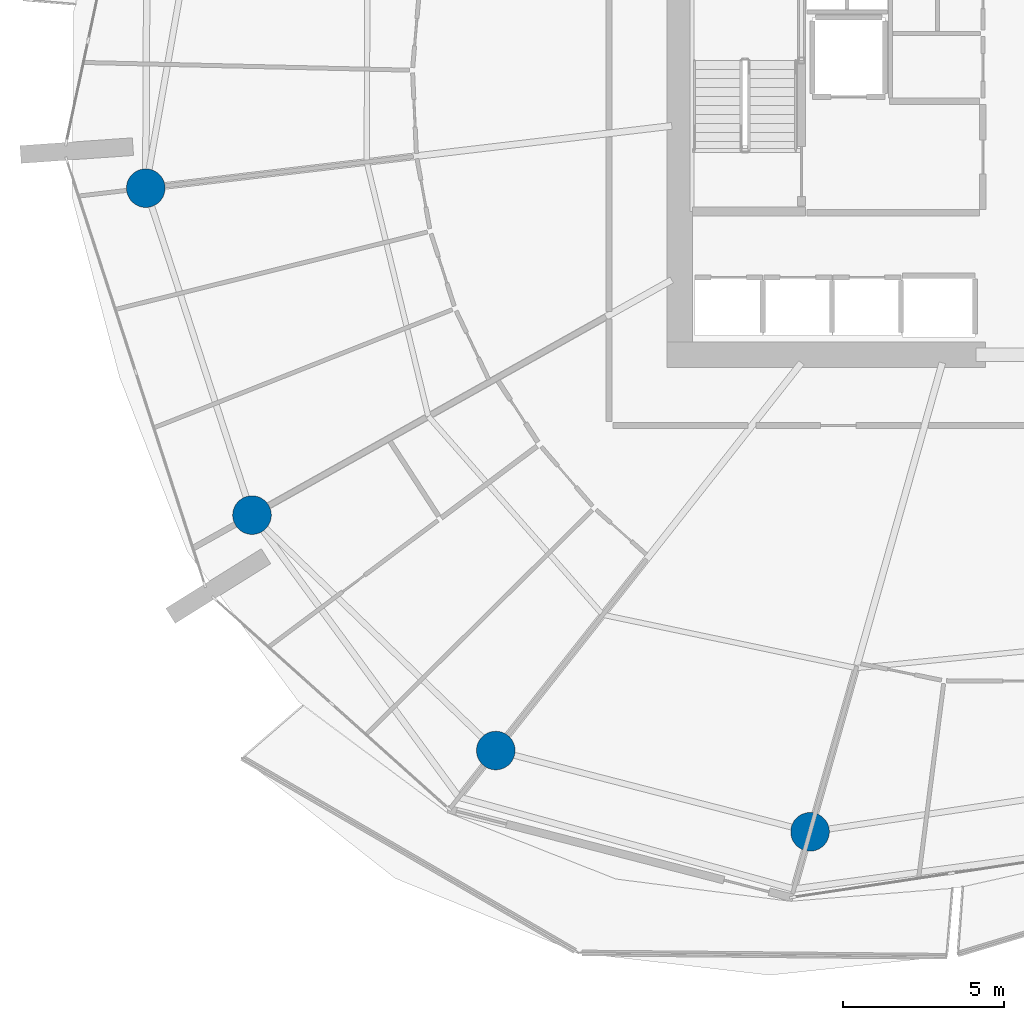
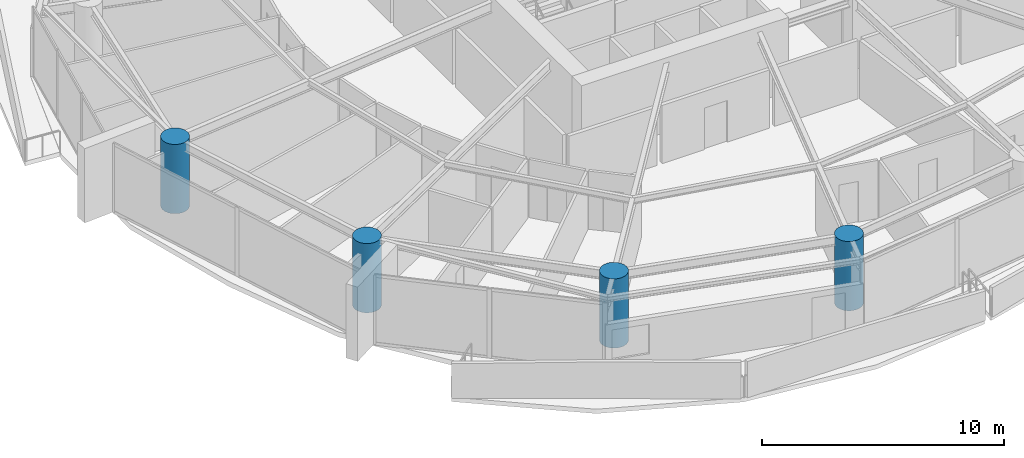
# One storey, part 1 of 23: 4 columns.
"""IFC4 building model written with IfcOpenShell, lengths in metres."""

from ifc_helpers import new_model, si_unit, direction, frame, origin, origin_2d, place, context, subcontext, project, spatial, circle, extrude, material, material_profile, profile_set, type_object, element, save


model = new_model("IFC4")

# Units and contexts
model_context = context("Model", 3, precision=1e-05, world=origin(), true_north=direction((0.0, 1.0)))
body_context = subcontext(model_context, "Body", "Model", "MODEL_VIEW")
ifc_project = project(units=[si_unit("LENGTHUNIT", "METRE"), si_unit("AREAUNIT", "SQUARE_METRE"), si_unit("VOLUMEUNIT", "CUBIC_METRE"), si_unit("PLANEANGLEUNIT", "RADIAN"), si_unit("MASSUNIT", "GRAM", prefix="KILO")], contexts=[model_context])

# Site, building, storey
site_placement = place(None, origin())
site = spatial("IfcSite", under=ifc_project, at=site_placement, CompositionType="ELEMENT")
building_placement = place(site_placement, origin())
building = spatial("IfcBuilding", under=site, at=building_placement, Name="Kazma Halo Residences", CompositionType="ELEMENT")
storey_placement = place(building_placement, frame((0.0, 0.0, 86.39990234375)))
storey = spatial("IfcBuildingStorey", under=building, at=storey_placement, Name="L21", CompositionType="ELEMENT", Elevation=86.39990234375)

# Columns
ifc_material = material(Name="Concrete C80/95", Category="concrete")
ifc_material_profile = material_profile(ifc_material, circle(Radius=0.60009765625, at=origin_2d()), Name="CIRC1200")
ifc_profile_set = profile_set([ifc_material_profile], Name="Concrete C80/95")
column_type = type_object("IfcColumnType", Name="COL-PERIM-1200", PredefinedType="COLUMN", material=ifc_profile_set)
for number, where, z_axis, x_axis, name in (
    (1, (20.79345703125, 38.77978515625, 0.0), (0.0, 0.0, 1.0), (1.0, 0.0, 0.0), "L21 perimeter ring column P08"),
    (2, (24.0966796875, 28.613525390625, 0.0), (0.0, 0.0, 1.0), (1.0, 0.0, 0.0), "L21 perimeter ring column P09"),
    (3, (31.676513671875, 21.293701171875, 0.0), (0.0, 0.0, 1.0), (1.0, 0.0, 0.0), "L21 perimeter ring column P10"),
    (4, (41.447265625, 18.765869140625, 0.0), (0.0, 0.0, 1.0), (1.0, 0.0, 0.0), "L21 perimeter ring column P11"),
):
    element("IfcColumn", number, at=place(storey_placement, frame(where, z_axis=z_axis, x_axis=x_axis)), inside=storey, type_object=column_type, Name=name, PredefinedType="COLUMN", context=body_context, shape_type="SweptSolid", body=[
        extrude(circle(Radius=0.60009765625, at=origin_2d()), origin(), (0.0, 0.0, 1.0), 3.5),
    ])

save(model, "model.ifc")
